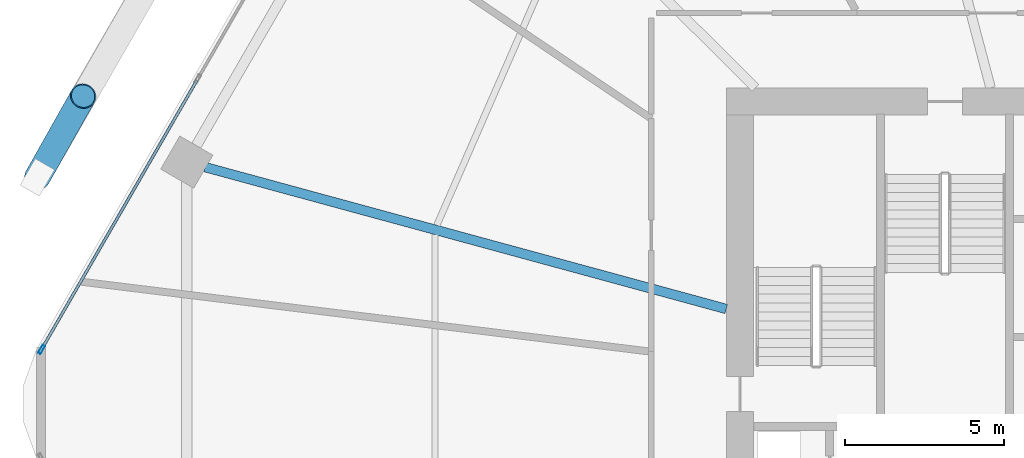
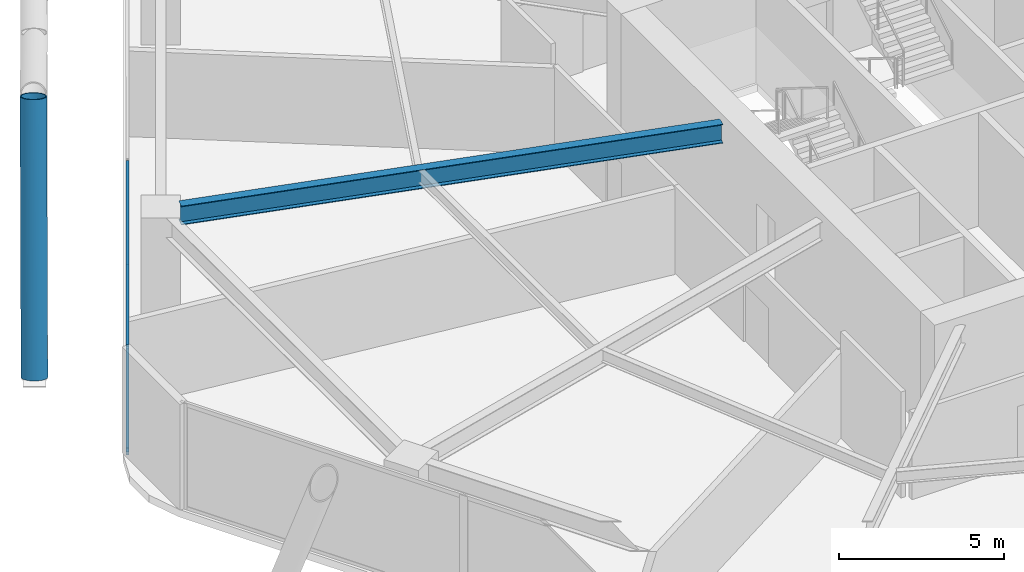
# One storey, part 13 of 28: 4 members, 1 beam, 1 element without a shape of its own.
"""IFC4 building model written with IfcOpenShell, lengths in metres."""

from ifc_helpers import new_model, si_unit, direction, frame, origin, origin_2d, place, context, subcontext, project, spatial, hollow_rectangle, hollow_circle, i_section, extrude, material, material_profile, profile_set, type_object, element, aggregate, save


model = new_model("IFC4")

# Units and contexts
model_context = context("Model", 3, precision=1e-05, world=origin(), true_north=direction((0.0, 1.0)))
body_context = subcontext(model_context, "Body", "Model", "MODEL_VIEW")
ifc_project = project(units=[si_unit("LENGTHUNIT", "METRE"), si_unit("AREAUNIT", "SQUARE_METRE"), si_unit("VOLUMEUNIT", "CUBIC_METRE"), si_unit("PLANEANGLEUNIT", "RADIAN"), si_unit("MASSUNIT", "GRAM", prefix="KILO")], contexts=[model_context])

# Site, building, storey
site_placement = place(None, origin())
site = spatial("IfcSite", under=ifc_project, at=site_placement, CompositionType="ELEMENT")
building_placement = place(site_placement, origin())
building = spatial("IfcBuilding", under=site, at=building_placement, Name="Zuhravey Tower", CompositionType="ELEMENT")
storey_placement = place(building_placement, frame((0.0, 0.0, 24.60009765625)))
storey = spatial("IfcBuildingStorey", under=building, at=storey_placement, Name="L06", CompositionType="ELEMENT", Elevation=24.60009765625)

# Curtain wall, members
ifc_material_1 = material(Name="Thermally broken anodised aluminium", Category="aluminium")
curtain_wall_type = type_object("IfcCurtainWallType", Name="School Low-E Unitised Curtain Wall CW1", PredefinedType="NOTDEFINED", material=ifc_material_1)
curtain_wall_placement = place(storey_placement, origin())
curtain_wall = element("IfcCurtainWall", 1, at=curtain_wall_placement, inside=storey, type_object=curtain_wall_type, Name="L06 CW1 CW-L06-F3-1", PredefinedType="NOTDEFINED")
ifc_material_2 = material(Name="Anodised aluminium", Category="aluminium")
ifc_material_profile_1 = material_profile(ifc_material_2, hollow_rectangle(XDim=0.090087890625, YDim=0.284912109375, WallThickness=0.0048828125, at=origin_2d()), Name="ALU-RHS-90x285x5")
ifc_profile_set_1 = profile_set([ifc_material_profile_1], Name="Anodised aluminium")
member_type_1 = type_object("IfcMemberType", Name="Curtain-Wall Mullion 90x180", PredefinedType="MULLION", material=ifc_profile_set_1)
member_1_placement = place(storey_placement, frame((3.5439453125, 33.701416015625, 0.0), z_axis=(0.0, 0.0, 1.0), x_axis=(-0.86602552265, 0.499999794119, 0.0)))
member_1 = element("IfcMember", 2, at=member_1_placement, type_object=member_type_1, Name="CW1 mullion 1", PredefinedType="MULLION", context=body_context, shape_type="SweptSolid", body=[
    extrude(hollow_rectangle(XDim=0.090087890625, YDim=0.284912109375, WallThickness=0.0048828125, at=origin_2d()), origin(), (0.0, 0.0, 1.0), 3.919921875),
])
ifc_material_profile_2 = material_profile(ifc_material_2, hollow_rectangle(XDim=0.090087890625, YDim=0.14990234375, WallThickness=0.0048828125, at=origin_2d()), Name="ALU-RHS-90x150x5")
ifc_profile_set_2 = profile_set([ifc_material_profile_2], Name="Anodised aluminium")
member_type_2 = type_object("IfcMemberType", Name="Curtain-Wall Transom 90x150", PredefinedType="USERDEFINED", material=ifc_profile_set_2)
member_2_placement = place(storey_placement, frame((3.56640625, 33.740478515625, 0.044921875), z_axis=(0.500008393077, 0.866020557985, 0.0), x_axis=(-0.866020557985, 0.500008393077, 0.0)))
member_2 = element("IfcMember", 3, at=member_2_placement, type_object=member_type_2, Name="CW1 transom 1.1", ObjectType="TRANSOM", PredefinedType="USERDEFINED", context=body_context, shape_type="SweptSolid", body=[
    extrude(hollow_rectangle(XDim=0.090087890625, YDim=0.14990234375, WallThickness=0.0048828125, at=origin_2d()), origin(), (0.0, 0.0, 1.0), 9.731201171875),
])
member_3_placement = place(storey_placement, frame((3.56640625, 33.740478515625, 3.875), z_axis=(0.500008393077, 0.866020557985, 0.0), x_axis=(-0.866020557985, 0.500008393077, 0.0)))
member_3 = element("IfcMember", 4, at=member_3_placement, type_object=member_type_2, Name="CW1 transom 1.2", ObjectType="TRANSOM", PredefinedType="USERDEFINED", context=body_context, shape_type="SweptSolid", body=[
    extrude(hollow_rectangle(XDim=0.090087890625, YDim=0.14990234375, WallThickness=0.0048828125, at=origin_2d()), origin(), (0.0, 0.0, 1.0), 9.731201171875),
])
aggregate(curtain_wall, [member_1, member_2, member_3])

# Member
ifc_material_3 = material(Name="Steel SM460", Category="steel")
ifc_material_profile_3 = material_profile(ifc_material_3, hollow_circle(Radius=0.406494140625, WallThickness=0.035888671875, at=origin_2d()), Name="CHS-812.8x36")
ifc_profile_set_3 = profile_set([ifc_material_profile_3], Name="Steel SM460")
member_type_3 = type_object("IfcMemberType", Name="Exoskeleton Zone 1 Diagrid CHS813x36", PredefinedType="BRACE", material=ifc_profile_set_3)
member_4_placement = place(storey_placement, frame((3.41455078125, 39.1171875, -0.47216796875), z_axis=(0.162383773974, 0.288038869576, 0.943750560033), x_axis=(-0.871107455363, 0.491092456886, 0.0)))
element("IfcMember", 5, at=member_4_placement, inside=storey, type_object=member_type_3, Name="L06 Face 3 Diagrid Brace 4", PredefinedType="BRACE", context=body_context, shape_type="SweptSolid", body=[
    extrude(hollow_circle(Radius=0.406494140625, WallThickness=0.035888671875, at=origin_2d()), origin(), (0.0, 0.0, 1.0), 8.85400390625),
])

# Beam
ifc_material_4 = material(Name="Steel SM355", Category="steel")
ifc_material_profile_4 = material_profile(ifc_material_4, i_section(OverallWidth=0.300048828125, OverallDepth=0.699951171875, WebThickness=0.012939453125, FlangeThickness=0.02392578125, at=origin_2d()), Name="H-700x300x13x24")
ifc_profile_set_4 = profile_set([ifc_material_profile_4], Name="Steel SM355")
beam_type = type_object("IfcBeamType", Name="Radial Primary Girder H700x300", PredefinedType="BEAM", material=ifc_profile_set_4)
beam_placement = place(storey_placement, frame((25.072021484375, 34.974609375, 3.56982421875), z_axis=(-0.964892480455, 0.26264520015, 0.0), x_axis=(-0.26264520015, -0.964892480455, 0.0)))
element("IfcBeam", 6, at=beam_placement, inside=storey, type_object=beam_type, Name="L06 RG1 BM-L06-RAD-06", PredefinedType="BEAM", context=body_context, shape_type="SweptSolid", body=[
    extrude(i_section(OverallWidth=0.300048828125, OverallDepth=0.699951171875, WebThickness=0.012939453125, FlangeThickness=0.02392578125, at=origin_2d()), origin(), (0.0, 0.0, 1.0), 16.975341796875),
])

save(model, "model.ifc")
